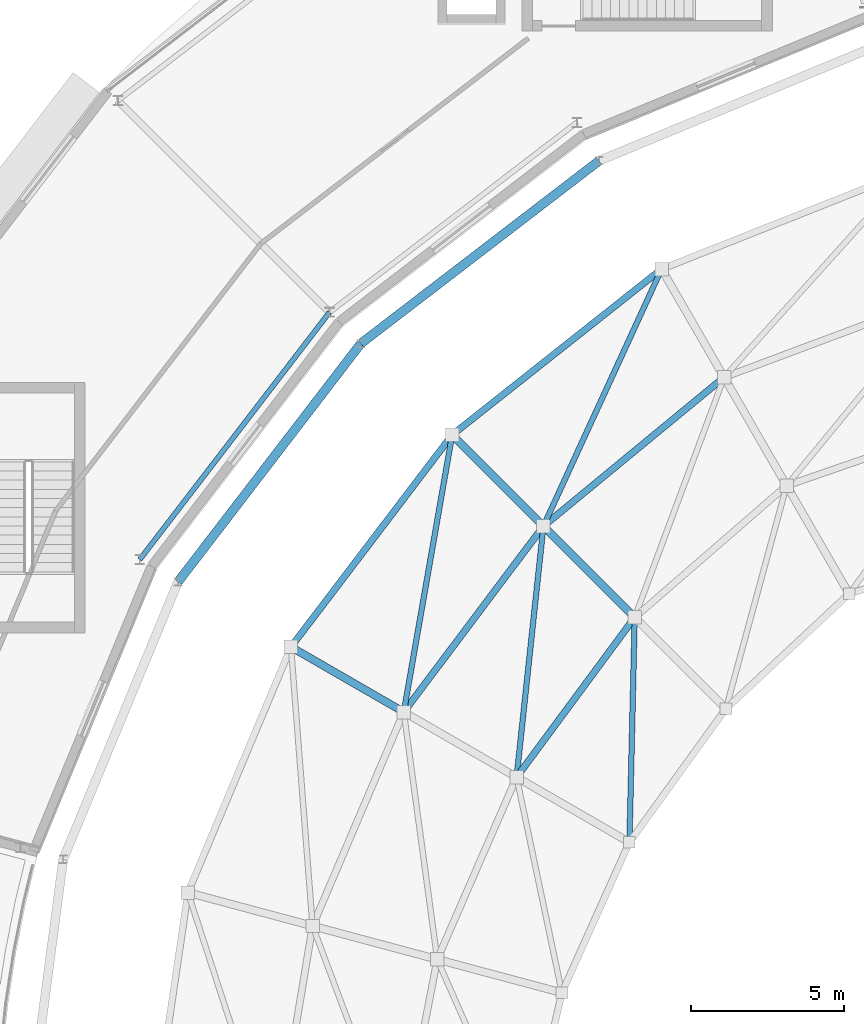
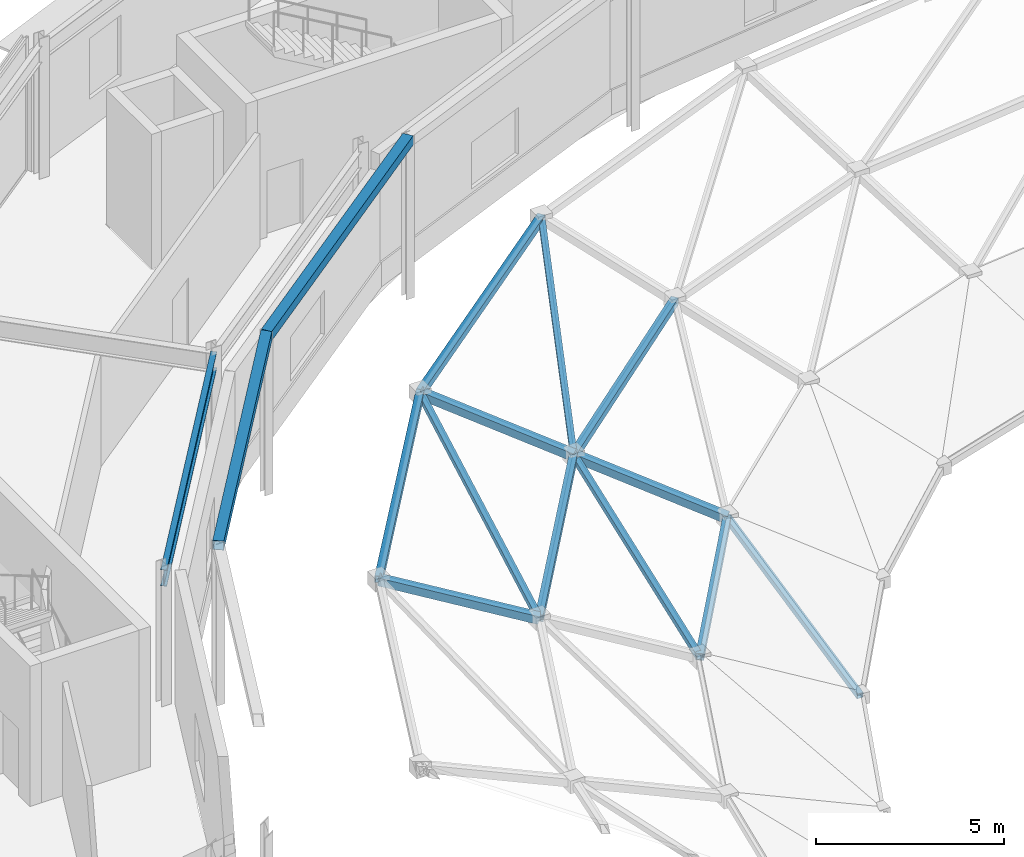
# One storey, part 29 of 89: 12 members, 3 beams.
"""IFC4 building model written with IfcOpenShell, lengths in metres."""

from ifc_helpers import new_model, si_unit, direction, frame, origin, origin_2d, place, context, subcontext, project, spatial, hollow_rectangle, i_section, extrude, material, material_profile, profile_set, type_object, element, save


model = new_model("IFC4")

# Units and contexts
model_context = context("Model", 3, precision=1e-05, world=origin(), true_north=direction((0.0, 1.0)))
body_context = subcontext(model_context, "Body", "Model", "MODEL_VIEW")
ifc_project = project(units=[si_unit("LENGTHUNIT", "METRE"), si_unit("AREAUNIT", "SQUARE_METRE"), si_unit("VOLUMEUNIT", "CUBIC_METRE"), si_unit("PLANEANGLEUNIT", "RADIAN"), si_unit("MASSUNIT", "GRAM", prefix="KILO")], contexts=[model_context])

# Site, building, storey
site_placement = place(None, origin())
site = spatial("IfcSite", under=ifc_project, at=site_placement, CompositionType="ELEMENT")
building_placement = place(site_placement, origin())
building = spatial("IfcBuilding", under=site, at=building_placement, Name="Almandine Court Research Institute", CompositionType="ELEMENT")
storey_placement = place(building_placement, frame((0.0, 0.0, 18.89990234375)))
storey = spatial("IfcBuildingStorey", under=building, at=storey_placement, Name="L04", CompositionType="ELEMENT", Elevation=18.89990234375)

# Beams
ifc_material_1 = material(Name="Steel ASTM A992 Grade 50", Category="steel")
ifc_material_profile_1 = material_profile(ifc_material_1, i_section(OverallWidth=0.166015625, OverallDepth=0.534912109375, WebThickness=0.010009765625, FlangeThickness=0.01708984375, at=origin_2d()), Name="W530x85")
ifc_profile_set_1 = profile_set([ifc_material_profile_1], Name="Steel ASTM A992 Grade 50")
beam_type_1 = type_object("IfcBeamType", Name="Beam-G-05-E", PredefinedType="SPANDREL", material=ifc_profile_set_1)
beam_placement = place(storey_placement, frame((59.35205078125, 83.64794921875, 4.041015625), z_axis=(-0.608784478787, -0.793335653042, 0.0), x_axis=(0.793335653042, -0.608784478787, 0.0)))
element("IfcBeam", 1, at=beam_placement, inside=storey, type_object=beam_type_1, Name="L04 Drum IN Ring Beam 09", PredefinedType="SPANDREL", context=body_context, shape_type="SweptSolid", body=[
    extrude(i_section(OverallWidth=0.166015625, OverallDepth=0.534912109375, WebThickness=0.010009765625, FlangeThickness=0.01708984375, at=origin_2d()), origin(), (0.0, 0.0, 1.0), 10.20751953125),
])
ifc_material_2 = material(Name="Steel ASTM A500 Grade C", Category="steel")
ifc_material_profile_2 = material_profile(ifc_material_2, hollow_rectangle(XDim=0.300048828125, YDim=0.300048828125, WallThickness=0.011962890625, at=origin_2d()), Name="HSS 300x300x12")
ifc_profile_set_2 = profile_set([ifc_material_profile_2], Name="Steel ASTM A500 Grade C")
beam_type_2 = type_object("IfcBeamType", Name="Beam-RB-01-E", PredefinedType="BEAM", material=ifc_profile_set_2)
for number, where, z_axis, x_axis, name in (
    (2, (68.175048828125, 88.60595703125, 5.10009765625), (-0.793391623282, -0.608711534396, 0.0), (0.608711534396, -0.793391623282, 0.0), "Gridshell Outer Ring Beam ORB-09"),
    (3, (60.376953125, 82.623046875, 5.10009765625), (-0.608711534396, -0.793391623282, 0.0), (0.793391623282, -0.608711534396, 0.0), "Gridshell Outer Ring Beam ORB-10"),
):
    element("IfcBeam", number, at=place(storey_placement, frame(where, z_axis=z_axis, x_axis=x_axis)), inside=storey, type_object=beam_type_2, Name=name, PredefinedType="BEAM", context=body_context, shape_type="SweptSolid", body=[
        extrude(hollow_rectangle(XDim=0.300048828125, YDim=0.300048828125, WallThickness=0.011962890625, at=origin_2d()), origin(), (0.0, 0.0, 1.0), 9.828857421875),
    ])

# Members
ifc_material_profile_3 = material_profile(ifc_material_2, hollow_rectangle(XDim=0.25, YDim=0.25, WallThickness=0.010009765625, at=origin_2d()), Name="HSS 250x250x10")
ifc_profile_set_3 = profile_set([ifc_material_profile_3], Name="Steel ASTM A500 Grade C")
member_type_1 = type_object("IfcMemberType", Name="Mem-GS-AR1", PredefinedType="RAFTER", material=ifc_profile_set_3)
member_1_placement = place(storey_placement, frame((63.365966796875, 79.634033203125, 3.9931640625), z_axis=(0.677753192831, -0.677753192831, -0.285133686566), x_axis=(0.707106781187, 0.707106781187, 0.0)))
element("IfcMember", 4, at=member_1_placement, inside=storey, type_object=member_type_1, Name="Atrium Conical Gridshell Radial Rib R1-S09", PredefinedType="RAFTER", context=body_context, shape_type="SweptSolid", body=[
    extrude(hollow_rectangle(XDim=0.25, YDim=0.25, WallThickness=0.010009765625, at=origin_2d()), origin(), (0.0, 0.0, 1.0), 4.40869140625),
])
member_2_placement = place(storey_placement, frame((58.087890625, 72.69189453125, 3.9931640625), z_axis=(0.830787954745, -0.479442232558, -0.282712786926), x_axis=(0.499833120622, 0.866121730203, 0.0)))
element("IfcMember", 5, at=member_2_placement, inside=storey, type_object=member_type_1, Name="Atrium Conical Gridshell Radial Rib R1-S10", PredefinedType="RAFTER", context=body_context, shape_type="SweptSolid", body=[
    extrude(hollow_rectangle(XDim=0.25, YDim=0.25, WallThickness=0.010009765625, at=origin_2d()), origin(), (0.0, 0.0, 1.0), 4.446533203125),
])
member_3_placement = place(storey_placement, frame((66.35400390625, 76.64599609375, 2.736083984375), z_axis=(0.677753192831, -0.677753192831, -0.285133686566), x_axis=(0.707106781187, 0.707106781187, 0.0)))
element("IfcMember", 6, at=member_3_placement, inside=storey, type_object=member_type_1, Name="Atrium Conical Gridshell Radial Rib R2-S09", PredefinedType="RAFTER", context=body_context, shape_type="SweptSolid", body=[
    extrude(hollow_rectangle(XDim=0.25, YDim=0.25, WallThickness=0.010009765625, at=origin_2d()), origin(), (0.0, 0.0, 1.0), 4.40869140625),
])
ifc_material_profile_4 = material_profile(ifc_material_2, hollow_rectangle(XDim=0.179931640625, YDim=0.179931640625, WallThickness=0.008056640625, at=origin_2d()), Name="HSS 180x180x8")
ifc_profile_set_4 = profile_set([ifc_material_profile_4], Name="Steel ASTM A500 Grade C")
member_type_2 = type_object("IfcMemberType", Name="Mem-GS-BR1", PredefinedType="BRACE", material=ifc_profile_set_4)
member_4_placement = place(storey_placement, frame((70.220947265625, 85.06103515625, 3.9931640625), z_axis=(-0.413756992385, -0.900396237991, -0.134505635065), x_axis=(0.908653326396, -0.417551353046, 0.0)))
element("IfcMember", 7, at=member_4_placement, inside=storey, type_object=member_type_2, Name="Atrium Conical Gridshell Diagonal Brace R1-S08", PredefinedType="BRACE", context=body_context, shape_type="SweptSolid", body=[
    extrude(hollow_rectangle(XDim=0.179931640625, YDim=0.179931640625, WallThickness=0.008056640625, at=origin_2d()), origin(), (0.0, 0.0, 1.0), 9.345947265625),
])
member_5_placement = place(storey_placement, frame((63.365966796875, 79.634033203125, 3.9931640625), z_axis=(-0.170383683555, -0.976055851833, -0.135219726669), x_axis=(0.985103399546, -0.17196305476, 0.0)))
element("IfcMember", 8, at=member_5_placement, inside=storey, type_object=member_type_2, Name="Atrium Conical Gridshell Diagonal Brace R1-S09", PredefinedType="BRACE", context=body_context, shape_type="SweptSolid", body=[
    extrude(hollow_rectangle(XDim=0.179931640625, YDim=0.179931640625, WallThickness=0.008056640625, at=origin_2d()), origin(), (0.0, 0.0, 1.0), 9.296630859375),
])
member_6_placement = place(storey_placement, frame((66.35400390625, 76.64599609375, 2.736083984375), z_axis=(-0.105121053014, -0.983027847145, -0.150352306103), x_axis=(0.994330922008, -0.10632975848, 0.0)))
element("IfcMember", 9, at=member_6_placement, inside=storey, type_object=member_type_2, Name="Atrium Conical Gridshell Diagonal Brace R2-S09", PredefinedType="BRACE", context=body_context, shape_type="SweptSolid", body=[
    extrude(hollow_rectangle(XDim=0.179931640625, YDim=0.179931640625, WallThickness=0.008056640625, at=origin_2d()), origin(), (0.0, 0.0, 1.0), 8.36083984375),
])
member_7_placement = place(storey_placement, frame((69.342041015625, 73.657958984375, 1.47900390625), z_axis=(-0.02316682899, -0.985456129082, -0.168343445639), x_axis=(0.999723784127, -0.023502243541, 0.0)))
element("IfcMember", 10, at=member_7_placement, inside=storey, type_object=member_type_2, Name="Atrium Conical Gridshell Diagonal Brace R3-S09", PredefinedType="BRACE", context=body_context, shape_type="SweptSolid", body=[
    extrude(hollow_rectangle(XDim=0.179931640625, YDim=0.179931640625, WallThickness=0.008056640625, at=origin_2d()), origin(), (0.0, 0.0, 1.0), 7.4716796875),
])
ifc_material_profile_5 = material_profile(ifc_material_2, hollow_rectangle(XDim=0.219970703125, YDim=0.219970703125, WallThickness=0.010009765625, at=origin_2d()), Name="HSS 220x220x10")
ifc_profile_set_5 = profile_set([ifc_material_profile_5], Name="Steel ASTM A500 Grade C")
member_type_3 = type_object("IfcMemberType", Name="Mem-GS-ST1", PredefinedType="COLLAR", material=ifc_profile_set_5)
member_8_placement = place(storey_placement, frame((70.220947265625, 85.06103515625, 3.9931640625), z_axis=(-0.784037897323, -0.620712957461, 0.0), x_axis=(0.620712957461, -0.784037897323, 0.0)))
element("IfcMember", 11, at=member_8_placement, inside=storey, type_object=member_type_3, Name="Atrium Conical Gridshell Hoop Ring R1-S08", PredefinedType="COLLAR", context=body_context, shape_type="SweptSolid", body=[
    extrude(hollow_rectangle(XDim=0.219970703125, YDim=0.219970703125, WallThickness=0.010009765625, at=origin_2d()), origin(), (0.0, 0.0, 1.0), 8.7431640625),
])
member_9_placement = place(storey_placement, frame((63.365966796875, 79.634033203125, 3.9931640625), z_axis=(-0.605232319599, -0.796048892539, 0.0), x_axis=(0.796048892539, -0.605232319599, 0.0)))
element("IfcMember", 12, at=member_9_placement, inside=storey, type_object=member_type_3, Name="Atrium Conical Gridshell Hoop Ring R1-S09", PredefinedType="COLLAR", context=body_context, shape_type="SweptSolid", body=[
    extrude(hollow_rectangle(XDim=0.219970703125, YDim=0.219970703125, WallThickness=0.010009765625, at=origin_2d()), origin(), (0.0, 0.0, 1.0), 8.720703125),
])
member_10_placement = place(storey_placement, frame((72.26806640625, 81.51708984375, 2.736083984375), z_axis=(-0.77188608333, -0.635760862558, 0.0), x_axis=(0.635760862558, -0.77188608333, 0.0)))
element("IfcMember", 13, at=member_10_placement, inside=storey, type_object=member_type_3, Name="Atrium Conical Gridshell Hoop Ring R2-S08", PredefinedType="COLLAR", context=body_context, shape_type="SweptSolid", body=[
    extrude(hollow_rectangle(XDim=0.219970703125, YDim=0.219970703125, WallThickness=0.010009765625, at=origin_2d()), origin(), (0.0, 0.0, 1.0), 7.661865234375),
])
member_11_placement = place(storey_placement, frame((66.35400390625, 76.64599609375, 2.736083984375), z_axis=(-0.600636143888, -0.799522496654, 0.0), x_axis=(0.799522496654, -0.600636143888, 0.0)))
element("IfcMember", 14, at=member_11_placement, inside=storey, type_object=member_type_3, Name="Atrium Conical Gridshell Hoop Ring R2-S09", PredefinedType="COLLAR", context=body_context, shape_type="SweptSolid", body=[
    extrude(hollow_rectangle(XDim=0.219970703125, YDim=0.219970703125, WallThickness=0.010009765625, at=origin_2d()), origin(), (0.0, 0.0, 1.0), 7.612060546875),
])
member_12_placement = place(storey_placement, frame((69.342041015625, 73.657958984375, 1.47900390625), z_axis=(-0.594449099099, -0.804133240564, 0.0), x_axis=(0.804133240564, -0.594449099099, 0.0)))
element("IfcMember", 15, at=member_12_placement, inside=storey, type_object=member_type_3, Name="Atrium Conical Gridshell Hoop Ring R3-S09", PredefinedType="COLLAR", context=body_context, shape_type="SweptSolid", body=[
    extrude(hollow_rectangle(XDim=0.219970703125, YDim=0.219970703125, WallThickness=0.010009765625, at=origin_2d()), origin(), (0.0, 0.0, 1.0), 6.505126953125),
])

save(model, "model.ifc")
